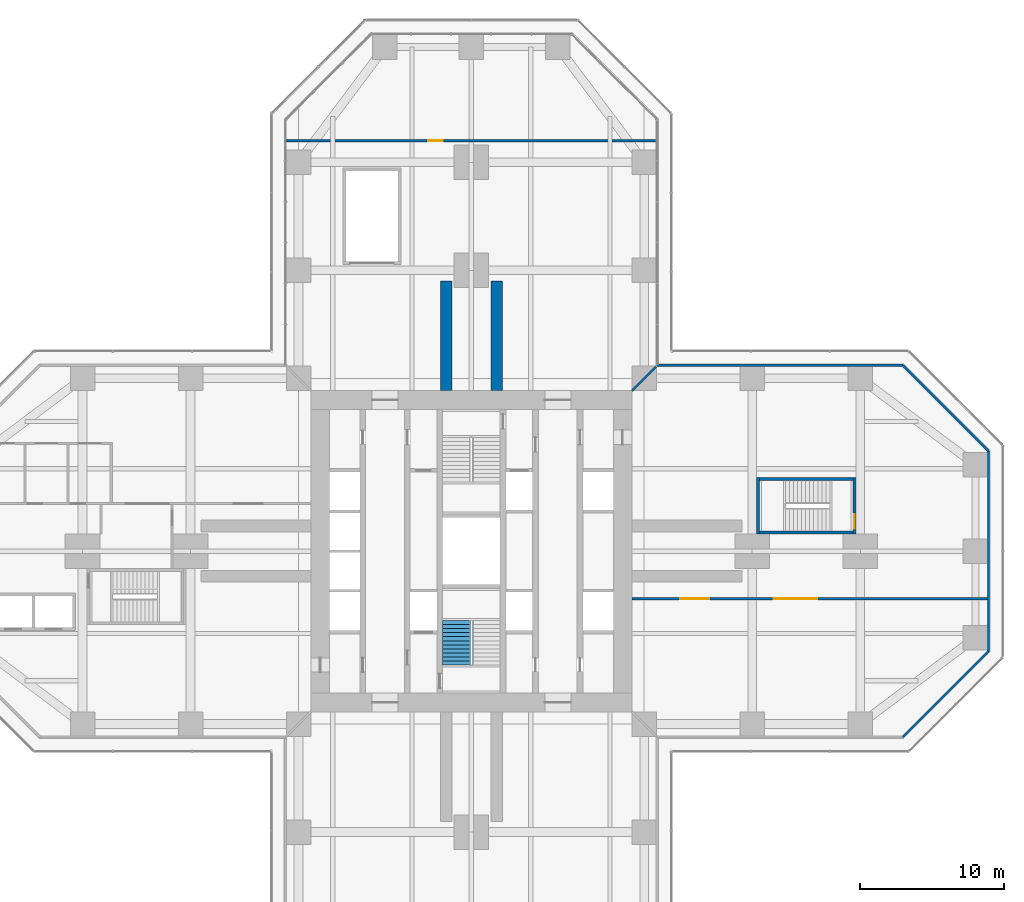
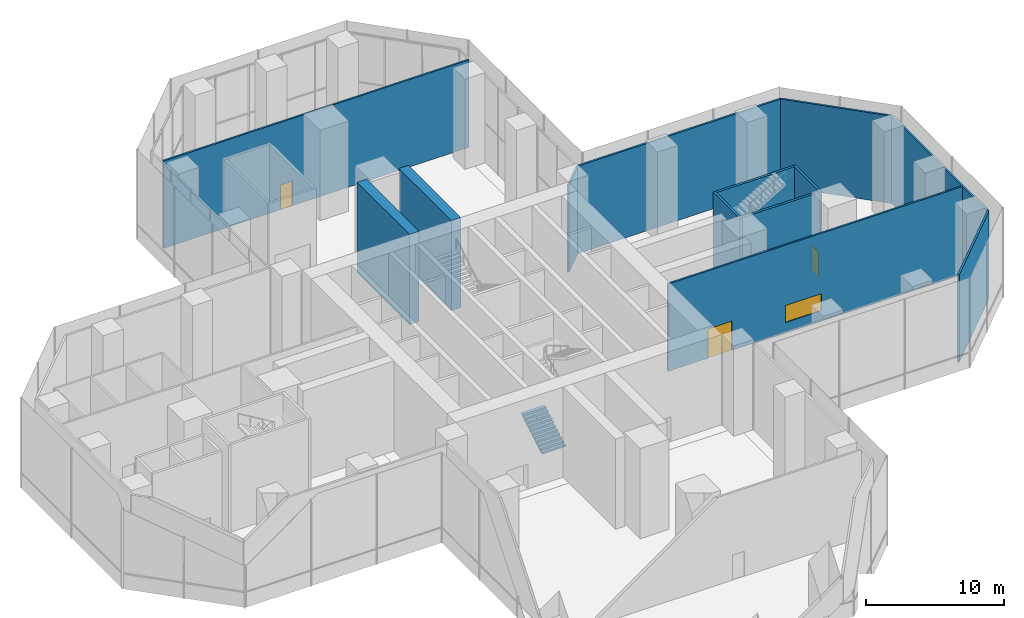
# One storey, part 19 of 25: 13 walls, 3 doors, 1 stair flight, 1 window, 4 openings, 1 element without a shape of its own.
"""IFC4 building model written with IfcOpenShell, lengths in metres."""

from ifc_helpers import new_model, si_unit, direction, frame, frame_2d, origin, place, context, subcontext, project, spatial, polyline, rectangle, outline, extrude, material, layer, layer_set, type_object, element, fill, aggregate, save


model = new_model("IFC4")

# Units and contexts
model_context = context("Model", 3, precision=1e-05, world=origin(), true_north=direction((0.0, 1.0)))
body_context = subcontext(model_context, "Body", "Model", "MODEL_VIEW")
ifc_project = project(units=[si_unit("LENGTHUNIT", "METRE"), si_unit("AREAUNIT", "SQUARE_METRE"), si_unit("VOLUMEUNIT", "CUBIC_METRE"), si_unit("PLANEANGLEUNIT", "RADIAN"), si_unit("MASSUNIT", "GRAM", prefix="KILO")], contexts=[model_context])

# Site, building, storey
site_placement = place(None, origin())
site = spatial("IfcSite", under=ifc_project, at=site_placement, CompositionType="ELEMENT")
building_placement = place(site_placement, origin())
building = spatial("IfcBuilding", under=site, at=building_placement, Name="Mizan Broadcast Tower", CompositionType="ELEMENT")
storey_placement = place(building_placement, frame((0.0, 0.0, 15.0)))
storey = spatial("IfcBuildingStorey", under=building, at=storey_placement, Name="L02", CompositionType="ELEMENT", Elevation=15.0)

# Wall, openings, door, window
ifc_material_1 = material(Name="Gypsum board on steel studs", Category="steel")
ifc_layer_1 = layer(ifc_material_1, 0.14990234375)
ifc_layer_set_1 = layer_set([ifc_layer_1], Name="Gypsum board on steel studs")
wall_type_1 = type_object("IfcWallType", Name="PARTITION 150", PredefinedType="PARTITIONING", material=ifc_layer_set_1)
wall_1_placement = place(storey_placement, frame((11.14990234375, -3.300048828125, 0.0), z_axis=(0.0, 0.0, 1.0), x_axis=(1.0, 0.0, 0.0)))
wall_1 = element("IfcWall", 1, at=wall_1_placement, inside=storey, type_object=wall_type_1, Name="Partition PT/ES", PredefinedType="PARTITIONING", context=body_context, shape_type="SweptSolid", body=[
    extrude(rectangle(XDim=24.670166015625, YDim=0.14990234375, at=frame_2d((12.3349609375, 0.0))), origin(), (0.0, 0.0, 1.0), 7.75),
])
opening_1_placement = place(wall_1_placement, frame((3.35009765625, 0.0, 0.0)))
opening_1 = element("IfcOpeningElement", 2, at=opening_1_placement, cuts=wall_1, Name="Opening D20", PredefinedType="OPENING", context=body_context, shape_type="SweptSolid", body=[
    extrude(rectangle(XDim=2.0, YDim=2.60009765625, at=frame_2d((1.0, 1.300048828125))), frame((0.0, 0.0849609375, 0.0), z_axis=(0.0, -1.0, 0.0), x_axis=(1.0, 0.0, 0.0)), (0.0, 0.0, 1.0), 0.169921875),
])
opening_2_placement = place(wall_1_placement, frame((9.85009765625, 0.0, 0.89990234375)))
opening_2 = element("IfcOpeningElement", 3, at=opening_2_placement, cuts=wall_1, Name="Opening W01", PredefinedType="OPENING", context=body_context, shape_type="SweptSolid", body=[
    extrude(rectangle(XDim=3.0, YDim=1.5, at=frame_2d((1.5, 0.75))), frame((0.0, 0.0849609375, 0.0), z_axis=(0.0, -1.0, 0.0), x_axis=(1.0, 0.0, 0.0)), (0.0, 0.0, 1.0), 0.169921875),
])
ifc_material_2 = material(Name="Timber door leaf in aluminium frame", Category="wood")
door_type_1 = type_object("IfcDoorType", Name="STUDIO DOUBLE DOOR 2000", OperationType="DOUBLE_DOOR_DOUBLE_SWING", PredefinedType="DOOR", material=ifc_material_2)
door_1_placement = place(opening_1_placement, origin())
door_1 = element("IfcDoor", 4, at=door_1_placement, inside=storey, type_object=door_type_1, Name="Studio D door", OperationType="DOUBLE_DOOR_DOUBLE_SWING", OverallHeight=2.60009765625, OverallWidth=2.0, PredefinedType="DOOR", context=body_context, shape_type="SweptSolid", body=[
    extrude(rectangle(XDim=2.0, YDim=2.60009765625, at=frame_2d((1.0, 1.300048828125))), frame((0.0, 0.02490234375, 0.0), z_axis=(0.0, -1.0, 0.0), x_axis=(1.0, 0.0, 0.0)), (0.0, 0.0, 1.0), 0.050048828125),
])
fill(opening_1, door_1)
ifc_material_3 = material(Name="Acoustic laminated triple glazing in steel frame", Category="steel")
window_type = type_object("IfcWindowType", Name="STUDIO OBSERVATION WINDOW 3000x1500", PartitioningType="SINGLE_PANEL", PredefinedType="WINDOW", material=ifc_material_3)
window_placement = place(opening_2_placement, origin())
window = element("IfcWindow", 5, at=window_placement, inside=storey, type_object=window_type, Name="Studio D observation window", OverallHeight=1.5, OverallWidth=3.0, PartitioningType="SINGLE_PANEL", PredefinedType="WINDOW", context=body_context, shape_type="SweptSolid", body=[
    extrude(rectangle(XDim=3.0, YDim=1.5, at=frame_2d((1.5, 0.75))), frame((0.0, 0.030029296875, 0.0), z_axis=(0.0, -1.0, 0.0), x_axis=(1.0, 0.0, 0.0)), (0.0, 0.0, 1.0), 0.06005859375),
])
fill(opening_2, window)

# Wall, opening, door
wall_2_placement = place(storey_placement, frame((12.820068359375, 28.5, 0.0), z_axis=(0.0, 0.0, 1.0), x_axis=(-1.0, 0.0, 0.0)))
wall_2 = element("IfcWall", 6, at=wall_2_placement, inside=storey, type_object=wall_type_1, Name="Partition PT/NX1", PredefinedType="PARTITIONING", context=body_context, shape_type="SweptSolid", body=[
    extrude(rectangle(XDim=25.64013671875, YDim=0.14990234375, at=frame_2d((12.820068359375, 0.0))), origin(), (0.0, 0.0, 1.0), 7.75),
])
opening_3_placement = place(wall_2_placement, frame((14.820068359375, 0.0, 0.0)))
opening_3 = element("IfcOpeningElement", 7, at=opening_3_placement, cuts=wall_2, Name="Opening D10", PredefinedType="OPENING", context=body_context, shape_type="SweptSolid", body=[
    extrude(rectangle(XDim=1.0, YDim=2.199951171875, at=frame_2d((0.5, 1.10009765625))), frame((0.0, 0.0849609375, 0.0), z_axis=(0.0, -1.0, 0.0), x_axis=(1.0, 0.0, 0.0)), (0.0, 0.0, 1.0), 0.169921875),
])
ifc_material_4 = material(Name="Timber door leaf in aluminium frame", Category="wood")
door_type_2 = type_object("IfcDoorType", Name="ROOM DOOR 1000", OperationType="SINGLE_SWING_LEFT", PredefinedType="DOOR", material=ifc_material_4)
door_2_placement = place(opening_3_placement, origin())
door_2 = element("IfcDoor", 8, at=door_2_placement, inside=storey, type_object=door_type_2, Name="Make-up room door", OperationType="SINGLE_SWING_RIGHT", OverallHeight=2.199951171875, OverallWidth=1.0, PredefinedType="DOOR", context=body_context, shape_type="SweptSolid", body=[
    extrude(rectangle(XDim=1.0, YDim=2.199951171875, at=frame_2d((0.5, 1.10009765625))), frame((0.0, 0.02490234375, 0.0), z_axis=(0.0, -1.0, 0.0), x_axis=(1.0, 0.0, 0.0)), (0.0, 0.0, 1.0), 0.050048828125),
])
fill(opening_3, door_2)

# Walls
wall_3_placement = place(storey_placement, frame((11.14990234375, 11.14990234375, 0.0), z_axis=(0.0, 0.0, 1.0), x_axis=(0.707106781187, 0.707106781187, 0.0)))
element("IfcWall", 9, at=wall_3_placement, inside=storey, type_object=wall_type_1, Name="Partition PT/DGEN", PredefinedType="PARTITIONING", context=body_context, shape_type="SweptSolid", body=[
    extrude(rectangle(XDim=2.362060546875, YDim=0.14990234375, at=frame_2d((1.18115234375, 0.0))), origin(), (0.0, 0.0, 1.0), 7.75),
])
ifc_material_5 = material(Name="Concrete C70/85", Category="concrete")
ifc_layer_2 = layer(ifc_material_5, 0.800048828125)
ifc_layer_set_2 = layer_set([ifc_layer_2], Name="Concrete C70/85")
wall_type_2 = type_object("IfcWallType", Name="SPINE WALL 800", PredefinedType="SHEAR", material=ifc_layer_set_2)
for number, where, z_axis, x_axis, name in (
    (10, (1.75, 11.14990234375, 0.0), (0.0, 0.0, 1.0), (0.0, 1.0, 0.0), "Spine wall NR L02"),
    (11, (-1.75, 11.14990234375, 0.0), (0.0, 0.0, 1.0), (0.0, 1.0, 0.0), "Spine wall NL L02"),
):
    element("IfcWall", number, at=place(storey_placement, frame(where, z_axis=z_axis, x_axis=x_axis)), inside=storey, type_object=wall_type_2, Name=name, PredefinedType="SHEAR", context=body_context, shape_type="SweptSolid", body=[
        extrude(rectangle(XDim=7.625, YDim=0.800048828125, at=frame_2d((3.8125, 0.0))), origin(), (0.0, 0.0, 1.0), 8.0),
    ])
ifc_material_6 = material(Name="Concrete C40/50", Category="concrete")
ifc_layer_3 = layer(ifc_material_6, 0.199951171875)
ifc_layer_set_3 = layer_set([ifc_layer_3], Name="Concrete C40/50")
wall_type_3 = type_object("IfcWallType", Name="STAIR SHAFT WALL 200 RC", PredefinedType="SOLIDWALL", material=ifc_layer_set_3)
wall_4_placement = place(storey_placement, frame((19.89990234375, 1.199951171875, 0.0), z_axis=(0.0, 0.0, 1.0), x_axis=(0.0, 1.0, 0.0)))
element("IfcWall", 12, at=wall_4_placement, inside=storey, type_object=wall_type_3, Name="Stair shaft wall PS/E/U0", PredefinedType="SOLIDWALL", context=body_context, shape_type="SweptSolid", body=[
    extrude(rectangle(XDim=3.900146484375, YDim=0.199951171875, at=frame_2d((1.9501953125, 0.0))), origin(), (0.0, 0.0, 1.0), 7.75),
])

# Wall, opening, door
wall_5_placement = place(storey_placement, frame((26.60009765625, 5.10009765625, 0.0), z_axis=(0.0, 0.0, 1.0), x_axis=(0.0, -1.0, 0.0)))
wall_5 = element("IfcWall", 13, at=wall_5_placement, inside=storey, type_object=wall_type_3, Name="Stair shaft wall PS/E/U1", PredefinedType="SOLIDWALL", context=body_context, shape_type="SweptSolid", body=[
    extrude(rectangle(XDim=3.900146484375, YDim=0.199951171875, at=frame_2d((1.9501953125, 0.0))), origin(), (0.0, 0.0, 1.0), 7.75),
])
opening_4_placement = place(wall_5_placement, frame((2.550048828125, 0.0, 0.0)))
opening_4 = element("IfcOpeningElement", 14, at=opening_4_placement, cuts=wall_5, Name="Opening D10S", PredefinedType="OPENING", context=body_context, shape_type="SweptSolid", body=[
    extrude(rectangle(XDim=1.0, YDim=2.199951171875, at=frame_2d((0.5, 1.10009765625))), frame((0.0, 0.10986328125, 0.0), z_axis=(0.0, -1.0, 0.0), x_axis=(1.0, 0.0, 0.0)), (0.0, 0.0, 1.0), 0.219970703125),
])
ifc_material_7 = material(Name="Steel door leaf in steel frame", Category="steel")
door_type_3 = type_object("IfcDoorType", Name="STAIR DOOR 1000 FD90S", OperationType="SINGLE_SWING_RIGHT", PredefinedType="DOOR", material=ifc_material_7)
door_3_placement = place(opening_4_placement, origin())
door_3 = element("IfcDoor", 15, at=door_3_placement, inside=storey, type_object=door_type_3, Name="Stair C door", OperationType="SINGLE_SWING_RIGHT", OverallHeight=2.199951171875, OverallWidth=1.0, PredefinedType="DOOR", context=body_context, shape_type="SweptSolid", body=[
    extrude(rectangle(XDim=1.0, YDim=2.199951171875, at=frame_2d((0.5, 1.10009765625))), frame((0.0, 0.02490234375, 0.0), z_axis=(0.0, -1.0, 0.0), x_axis=(1.0, 0.0, 0.0)), (0.0, 0.0, 1.0), 0.050048828125),
])
fill(opening_4, door_3)

# Walls
for number, where, z_axis, x_axis, name in (
    (16, (20.0, 1.300048828125, 0.0), (0.0, 0.0, 1.0), (1.0, 0.0, 0.0), "Stair shaft wall PS/E/V0"),
    (17, (26.5, 5.0, 0.0), (0.0, 0.0, 1.0), (-1.0, 0.0, 0.0), "Stair shaft wall PS/E/V1"),
):
    element("IfcWall", number, at=place(storey_placement, frame(where, z_axis=z_axis, x_axis=x_axis)), inside=storey, type_object=wall_type_3, Name=name, PredefinedType="SOLIDWALL", context=body_context, shape_type="SweptSolid", body=[
        extrude(rectangle(XDim=6.5, YDim=0.199951171875, at=frame_2d((3.25, 0.0))), origin(), (0.0, 0.0, 1.0), 7.75),
    ])
ifc_material_8 = material(Name="Insulated aluminium panel wall", Category="aluminium")
ifc_layer_4 = layer(ifc_material_8, 0.159912109375)
ifc_layer_set_4 = layer_set([ifc_layer_4], Name="Insulated aluminium panel wall")
wall_type_4 = type_object("IfcWallType", Name="STUDIO CLADDING WALL 160", PredefinedType="SOLIDWALL", material=ifc_layer_set_4)
wall_6_placement = place(storey_placement, frame((29.95849609375, -12.89990234375, 0.0), z_axis=(0.0, 0.0, 1.0), x_axis=(0.707106781187, 0.707106781187, 0.0)))
element("IfcWall", 18, at=wall_6_placement, inside=storey, type_object=wall_type_4, Name="External wall L02 E chamfer", PredefinedType="SOLIDWALL", context=body_context, shape_type="SweptSolid", body=[
    extrude(rectangle(XDim=8.40234375, YDim=0.159912109375, at=frame_2d((4.201171875, 0.0))), origin(), (0.0, 0.0, 1.0), 7.75),
])
wall_7_placement = place(storey_placement, frame((35.89990234375, -6.95849609375, 0.0), z_axis=(0.0, 0.0, 1.0), x_axis=(0.0, 1.0, 0.0)))
element("IfcWall", 19, at=wall_7_placement, inside=storey, type_object=wall_type_4, Name="External wall L02 E end", PredefinedType="SOLIDWALL", context=body_context, shape_type="SweptSolid", body=[
    extrude(rectangle(XDim=13.9169921875, YDim=0.159912109375, at=frame_2d((6.95849609375, 0.0))), origin(), (0.0, 0.0, 1.0), 7.75),
])
wall_8_placement = place(storey_placement, frame((35.89990234375, 6.95849609375, 0.0), z_axis=(0.0, 0.0, 1.0), x_axis=(-0.707106781187, 0.707106781187, 0.0)))
element("IfcWall", 20, at=wall_8_placement, inside=storey, type_object=wall_type_4, Name="External wall L02 E chamfer", PredefinedType="SOLIDWALL", context=body_context, shape_type="SweptSolid", body=[
    extrude(rectangle(XDim=8.40234375, YDim=0.159912109375, at=frame_2d((4.201171875, 0.0))), origin(), (0.0, 0.0, 1.0), 7.75),
])
wall_9_placement = place(storey_placement, frame((29.95849609375, 12.89990234375, 0.0), z_axis=(0.0, 0.0, 1.0), x_axis=(-1.0, 0.0, 0.0)))
element("IfcWall", 21, at=wall_9_placement, inside=storey, type_object=wall_type_4, Name="External wall L02 E side", PredefinedType="SOLIDWALL", context=body_context, shape_type="SweptSolid", body=[
    extrude(rectangle(XDim=17.05859375, YDim=0.159912109375, at=frame_2d((8.529296875, 0.0))), origin(), (0.0, 0.0, 1.0), 7.75),
])

# Stair, stair flight
ifc_material_9 = material(Name="Concrete C40/50", Category="concrete")
stair_type = type_object("IfcStairType", Name="EXIT STAIR", PredefinedType="HALF_TURN_STAIR", material=ifc_material_9)
stair_placement = place(storey_placement, origin())
stair = element("IfcStair", 22, at=stair_placement, inside=storey, type_object=stair_type, Name="Stair A L02", PredefinedType="HALF_TURN_STAIR")
ifc_material_10 = material(Name="Concrete C40/50", Category="concrete")
stair_flight_type = type_object("IfcStairFlightType", Name="EXIT STAIR FLIGHT", PredefinedType="STRAIGHT", material=ifc_material_10)
stair_flight_placement = place(storey_placement, frame((-1.02490234375, -7.89990234375, 0.0), z_axis=(0.0, 0.0, 1.0), x_axis=(0.0, 1.0, 0.0)))
stair_flight = element("IfcStairFlight", 23, at=stair_flight_placement, type_object=stair_flight_type, Name="A flight 1", NumberOfRisers=12, NumberOfTreads=11, PredefinedType="STRAIGHT", RiserHeight=0.166666667, TreadLength=0.28, context=body_context, shape_type="SweptSolid", body=[
    extrude(outline(polyline([(0.0, 0.0), (0.0, 0.166748046875), (0.280029296875, 0.166748046875), (0.280029296875, 0.333251953125), (0.56005859375, 0.333251953125), (0.56005859375, 0.5), (0.840087890625, 0.5), (0.840087890625, 0.666748046875), (1.1201171875, 0.666748046875), (1.1201171875, 0.833251953125), (1.39990234375, 0.833251953125), (1.39990234375, 1.0), (1.679931640625, 1.0), (1.679931640625, 1.166748046875), (1.9599609375, 1.166748046875), (1.9599609375, 1.333251953125), (2.239990234375, 1.333251953125), (2.239990234375, 1.5), (2.52001953125, 1.5), (2.52001953125, 1.666748046875), (2.800048828125, 1.666748046875), (2.800048828125, 1.833251953125), (3.080078125, 1.833251953125), (3.080078125, 2.0), (3.080078125, 1.658935546875), (0.29296875, 0.0), (0.0, 0.0)])), frame((0.0, 0.97509765625, 0.0), z_axis=(0.0, -1.0, 0.0), x_axis=(1.0, 0.0, 0.0)), (0.0, 0.0, 1.0), 0.4873046875),
    extrude(outline(polyline([(0.0, 0.0), (0.0, 0.166748046875), (0.280029296875, 0.166748046875), (0.280029296875, 0.333251953125), (0.56005859375, 0.333251953125), (0.56005859375, 0.5), (0.840087890625, 0.5), (0.840087890625, 0.666748046875), (1.1201171875, 0.666748046875), (1.1201171875, 0.833251953125), (1.39990234375, 0.833251953125), (1.39990234375, 1.0), (1.679931640625, 1.0), (1.679931640625, 1.166748046875), (1.9599609375, 1.166748046875), (1.9599609375, 1.333251953125), (2.239990234375, 1.333251953125), (2.239990234375, 1.5), (2.52001953125, 1.5), (2.52001953125, 1.666748046875), (2.800048828125, 1.666748046875), (2.800048828125, 1.833251953125), (3.080078125, 1.833251953125), (3.080078125, 2.0), (3.080078125, 1.658935546875), (0.29296875, 0.0), (0.0, 0.0)])), frame((0.0, 0.4873046875, 0.0), z_axis=(0.0, -1.0, 0.0), x_axis=(1.0, 0.0, 0.0)), (0.0, 0.0, 1.0), 0.2431640625),
    extrude(outline(polyline([(0.0, 0.0), (0.0, 0.166748046875), (0.280029296875, 0.166748046875), (0.280029296875, 0.333251953125), (0.56005859375, 0.333251953125), (0.56005859375, 0.5), (0.840087890625, 0.5), (0.840087890625, 0.666748046875), (1.1201171875, 0.666748046875), (1.1201171875, 0.833251953125), (1.39990234375, 0.833251953125), (1.39990234375, 1.0), (1.679931640625, 1.0), (1.679931640625, 1.166748046875), (1.9599609375, 1.166748046875), (1.9599609375, 1.333251953125), (2.239990234375, 1.333251953125), (2.239990234375, 1.5), (2.52001953125, 1.5), (2.52001953125, 1.666748046875), (2.800048828125, 1.666748046875), (2.800048828125, 1.833251953125), (3.080078125, 1.833251953125), (3.080078125, 2.0), (3.080078125, 1.658935546875), (0.29296875, 0.0), (0.0, 0.0)])), frame((0.0, 0.24365234375, 0.0), z_axis=(0.0, -1.0, 0.0), x_axis=(1.0, 0.0, 0.0)), (0.0, 0.0, 1.0), 0.121337890625),
    extrude(outline(polyline([(0.0, 0.0), (0.0, 0.166748046875), (0.280029296875, 0.166748046875), (0.280029296875, 0.333251953125), (0.56005859375, 0.333251953125), (0.56005859375, 0.5), (0.840087890625, 0.5), (0.840087890625, 0.666748046875), (1.1201171875, 0.666748046875), (1.1201171875, 0.833251953125), (1.39990234375, 0.833251953125), (1.39990234375, 1.0), (1.679931640625, 1.0), (1.679931640625, 1.166748046875), (1.9599609375, 1.166748046875), (1.9599609375, 1.333251953125), (2.239990234375, 1.333251953125), (2.239990234375, 1.5), (2.52001953125, 1.5), (2.52001953125, 1.666748046875), (2.800048828125, 1.666748046875), (2.800048828125, 1.833251953125), (3.080078125, 1.833251953125), (3.080078125, 2.0), (3.080078125, 1.658935546875), (0.29296875, 0.0), (0.0, 0.0)])), frame((0.0, 0.121826171875, 0.0), z_axis=(0.0, -1.0, 0.0), x_axis=(1.0, 0.0, 0.0)), (0.0, 0.0, 1.0), 0.060546875),
    extrude(outline(polyline([(0.0, 0.0), (0.0, 0.166748046875), (0.280029296875, 0.166748046875), (0.280029296875, 0.333251953125), (0.56005859375, 0.333251953125), (0.56005859375, 0.5), (0.840087890625, 0.5), (0.840087890625, 0.666748046875), (1.1201171875, 0.666748046875), (1.1201171875, 0.833251953125), (1.39990234375, 0.833251953125), (1.39990234375, 1.0), (1.679931640625, 1.0), (1.679931640625, 1.166748046875), (1.9599609375, 1.166748046875), (1.9599609375, 1.333251953125), (2.239990234375, 1.333251953125), (2.239990234375, 1.5), (2.52001953125, 1.5), (2.52001953125, 1.666748046875), (2.800048828125, 1.666748046875), (2.800048828125, 1.833251953125), (3.080078125, 1.833251953125), (3.080078125, 2.0), (3.080078125, 1.658935546875), (0.29296875, 0.0), (0.0, 0.0)])), frame((0.0, 0.060791015625, 0.0), z_axis=(0.0, -1.0, 0.0), x_axis=(1.0, 0.0, 0.0)), (0.0, 0.0, 1.0), 0.030029296875),
    extrude(outline(polyline([(0.0, 0.0), (0.0, 0.166748046875), (0.280029296875, 0.166748046875), (0.280029296875, 0.333251953125), (0.56005859375, 0.333251953125), (0.56005859375, 0.5), (0.840087890625, 0.5), (0.840087890625, 0.666748046875), (1.1201171875, 0.666748046875), (1.1201171875, 0.833251953125), (1.39990234375, 0.833251953125), (1.39990234375, 1.0), (1.679931640625, 1.0), (1.679931640625, 1.166748046875), (1.9599609375, 1.166748046875), (1.9599609375, 1.333251953125), (2.239990234375, 1.333251953125), (2.239990234375, 1.5), (2.52001953125, 1.5), (2.52001953125, 1.666748046875), (2.800048828125, 1.666748046875), (2.800048828125, 1.833251953125), (3.080078125, 1.833251953125), (3.080078125, 2.0), (3.080078125, 1.658935546875), (0.29296875, 0.0), (0.0, 0.0)])), frame((0.0, 0.0302734375, 0.0), z_axis=(0.0, -1.0, 0.0), x_axis=(1.0, 0.0, 0.0)), (0.0, 0.0, 1.0), 0.060302734375),
    extrude(outline(polyline([(0.0, 0.0), (0.0, 0.166748046875), (0.280029296875, 0.166748046875), (0.280029296875, 0.333251953125), (0.56005859375, 0.333251953125), (0.56005859375, 0.5), (0.840087890625, 0.5), (0.840087890625, 0.666748046875), (1.1201171875, 0.666748046875), (1.1201171875, 0.833251953125), (1.39990234375, 0.833251953125), (1.39990234375, 1.0), (1.679931640625, 1.0), (1.679931640625, 1.166748046875), (1.9599609375, 1.166748046875), (1.9599609375, 1.333251953125), (2.239990234375, 1.333251953125), (2.239990234375, 1.5), (2.52001953125, 1.5), (2.52001953125, 1.666748046875), (2.800048828125, 1.666748046875), (2.800048828125, 1.833251953125), (3.080078125, 1.833251953125), (3.080078125, 2.0), (3.080078125, 1.658935546875), (0.29296875, 0.0), (0.0, 0.0)])), frame((0.0, -0.030517578125, 0.0), z_axis=(0.0, -1.0, 0.0), x_axis=(1.0, 0.0, 0.0)), (0.0, 0.0, 1.0), 0.030029296875),
    extrude(outline(polyline([(0.0, 0.0), (0.0, 0.166748046875), (0.280029296875, 0.166748046875), (0.280029296875, 0.333251953125), (0.56005859375, 0.333251953125), (0.56005859375, 0.5), (0.840087890625, 0.5), (0.840087890625, 0.666748046875), (1.1201171875, 0.666748046875), (1.1201171875, 0.833251953125), (1.39990234375, 0.833251953125), (1.39990234375, 1.0), (1.679931640625, 1.0), (1.679931640625, 1.166748046875), (1.9599609375, 1.166748046875), (1.9599609375, 1.333251953125), (2.239990234375, 1.333251953125), (2.239990234375, 1.5), (2.52001953125, 1.5), (2.52001953125, 1.666748046875), (2.800048828125, 1.666748046875), (2.800048828125, 1.833251953125), (3.080078125, 1.833251953125), (3.080078125, 2.0), (3.080078125, 1.658935546875), (0.29296875, 0.0), (0.0, 0.0)])), frame((0.0, -0.06103515625, 0.0), z_axis=(0.0, -1.0, 0.0), x_axis=(1.0, 0.0, 0.0)), (0.0, 0.0, 1.0), 0.060546875),
    extrude(outline(polyline([(0.0, 0.0), (0.0, 0.166748046875), (0.280029296875, 0.166748046875), (0.280029296875, 0.333251953125), (0.56005859375, 0.333251953125), (0.56005859375, 0.5), (0.840087890625, 0.5), (0.840087890625, 0.666748046875), (1.1201171875, 0.666748046875), (1.1201171875, 0.833251953125), (1.39990234375, 0.833251953125), (1.39990234375, 1.0), (1.679931640625, 1.0), (1.679931640625, 1.166748046875), (1.9599609375, 1.166748046875), (1.9599609375, 1.333251953125), (2.239990234375, 1.333251953125), (2.239990234375, 1.5), (2.52001953125, 1.5), (2.52001953125, 1.666748046875), (2.800048828125, 1.666748046875), (2.800048828125, 1.833251953125), (3.080078125, 1.833251953125), (3.080078125, 2.0), (3.080078125, 1.658935546875), (0.29296875, 0.0), (0.0, 0.0)])), frame((0.0, -0.1220703125, 0.0), z_axis=(0.0, -1.0, 0.0), x_axis=(1.0, 0.0, 0.0)), (0.0, 0.0, 1.0), 0.121337890625),
    extrude(outline(polyline([(0.0, 0.0), (0.0, 0.166748046875), (0.280029296875, 0.166748046875), (0.280029296875, 0.333251953125), (0.56005859375, 0.333251953125), (0.56005859375, 0.5), (0.840087890625, 0.5), (0.840087890625, 0.666748046875), (1.1201171875, 0.666748046875), (1.1201171875, 0.833251953125), (1.39990234375, 0.833251953125), (1.39990234375, 1.0), (1.679931640625, 1.0), (1.679931640625, 1.166748046875), (1.9599609375, 1.166748046875), (1.9599609375, 1.333251953125), (2.239990234375, 1.333251953125), (2.239990234375, 1.5), (2.52001953125, 1.5), (2.52001953125, 1.666748046875), (2.800048828125, 1.666748046875), (2.800048828125, 1.833251953125), (3.080078125, 1.833251953125), (3.080078125, 2.0), (3.080078125, 1.658935546875), (0.29296875, 0.0), (0.0, 0.0)])), frame((0.0, -0.243896484375, 0.0), z_axis=(0.0, -1.0, 0.0), x_axis=(1.0, 0.0, 0.0)), (0.0, 0.0, 1.0), 0.2431640625),
    extrude(outline(polyline([(0.0, 0.0), (0.0, 0.166748046875), (0.280029296875, 0.166748046875), (0.280029296875, 0.333251953125), (0.56005859375, 0.333251953125), (0.56005859375, 0.5), (0.840087890625, 0.5), (0.840087890625, 0.666748046875), (1.1201171875, 0.666748046875), (1.1201171875, 0.833251953125), (1.39990234375, 0.833251953125), (1.39990234375, 1.0), (1.679931640625, 1.0), (1.679931640625, 1.166748046875), (1.9599609375, 1.166748046875), (1.9599609375, 1.333251953125), (2.239990234375, 1.333251953125), (2.239990234375, 1.5), (2.52001953125, 1.5), (2.52001953125, 1.666748046875), (2.800048828125, 1.666748046875), (2.800048828125, 1.833251953125), (3.080078125, 1.833251953125), (3.080078125, 2.0), (3.080078125, 1.658935546875), (0.29296875, 0.0), (0.0, 0.0)])), frame((0.0, -0.487548828125, 0.0), z_axis=(0.0, -1.0, 0.0), x_axis=(1.0, 0.0, 0.0)), (0.0, 0.0, 1.0), 0.4873046875),
])
aggregate(stair, [stair_flight])

save(model, "model.ifc")
